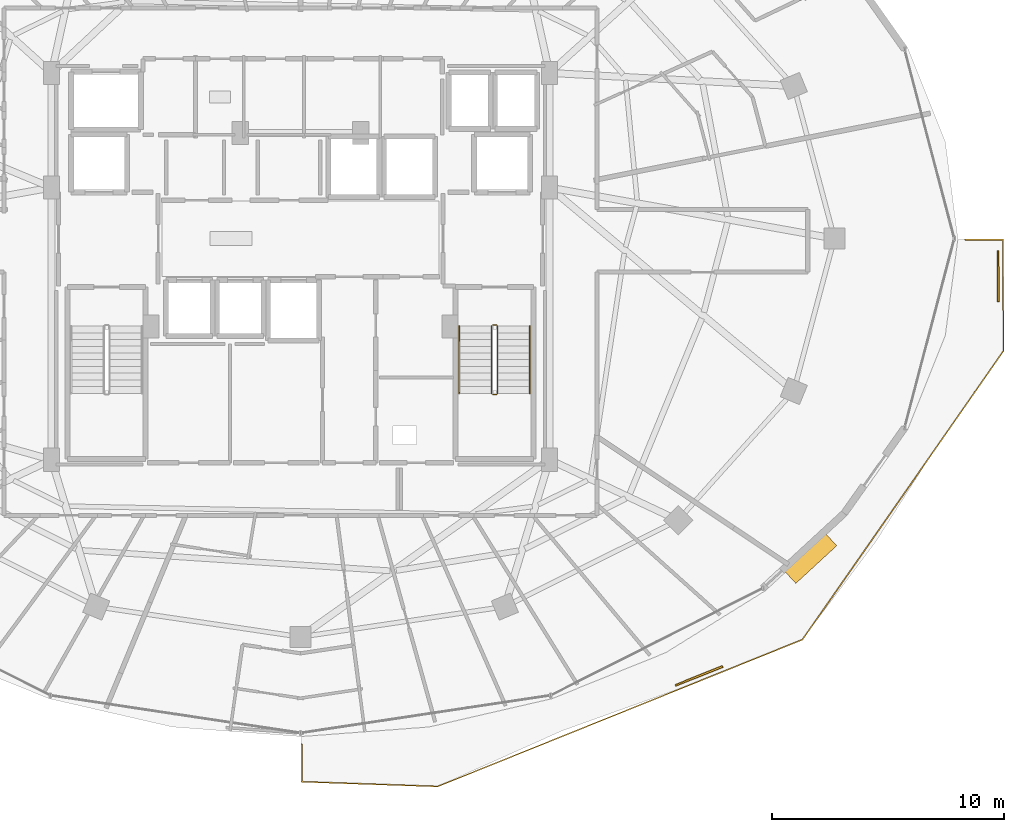
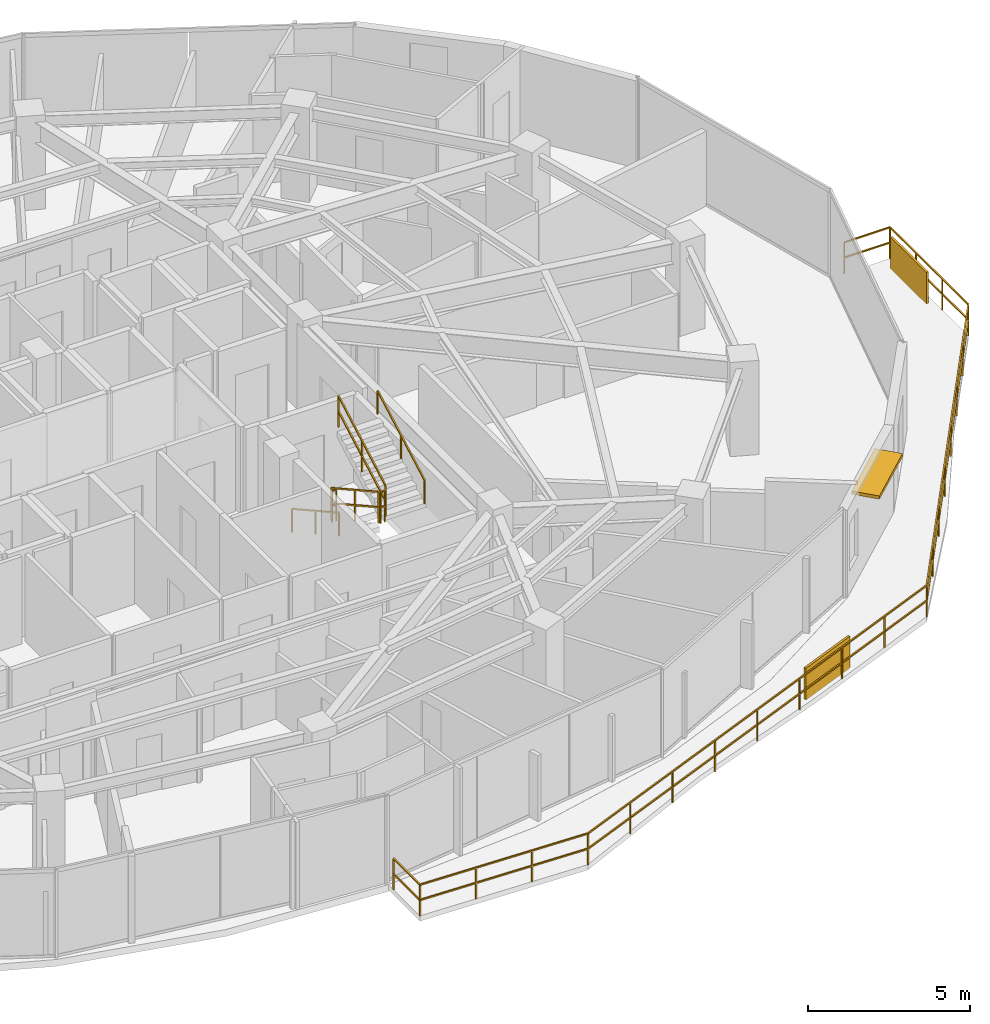
# One storey, part 32 of 34: 8 railings, 3 shading devices.
"""IFC4 building model written with IfcOpenShell, lengths in metres."""

from ifc_helpers import new_model, si_unit, direction, frame, origin, origin_2d, place, context, subcontext, project, spatial, rectangle, extrude, material, type_object, element, save


model = new_model("IFC4")

# Units and contexts
model_context = context("Model", 3, precision=1e-05, world=origin(), true_north=direction((0.0, 1.0)))
body_context = subcontext(model_context, "Body", "Model", "MODEL_VIEW")
ifc_project = project(units=[si_unit("LENGTHUNIT", "METRE"), si_unit("AREAUNIT", "SQUARE_METRE"), si_unit("VOLUMEUNIT", "CUBIC_METRE"), si_unit("PLANEANGLEUNIT", "RADIAN"), si_unit("MASSUNIT", "GRAM", prefix="KILO")], contexts=[model_context])

# Site, building, storey
site_placement = place(None, origin())
site = spatial("IfcSite", under=ifc_project, at=site_placement, CompositionType="ELEMENT")
building_placement = place(site_placement, origin())
building = spatial("IfcBuilding", under=site, at=building_placement, Name="Vorneva Point Tower", CompositionType="ELEMENT")
storey_placement = place(building_placement, frame((0.0, 0.0, 214.300048828125)))
storey = spatial("IfcBuildingStorey", under=building, at=storey_placement, Name="L58", CompositionType="ELEMENT", Elevation=214.300048828125)

# Railings
ifc_material_1 = material(Name="Pale anodised aluminium", Category="aluminium")
railing_type_1 = type_object("IfcRailingType", Name="RL-BAL-1200", PredefinedType="BALUSTRADE", material=ifc_material_1)
railing_1_placement = place(storey_placement, frame((68.34619140625, 21.14599609375, 0.0)))
element("IfcRailing", 1, at=railing_1_placement, inside=storey, type_object=railing_type_1, Name="L58 Wave Balcony Balustrade SE.1", PredefinedType="BALUSTRADE", context=body_context, shape_type="SweptSolid", body=[
    extrude(rectangle(XDim=0.048095703125, YDim=0.048095703125, at=origin_2d()), frame((0.0, 0.0, 1.17578125), z_axis=(-0.003354150975, 0.99999437482, 0.0), x_axis=(-0.99999437482, -0.003354150975, 0.0)), (0.0, 0.0, 1.0), 4.803955078125),
    extrude(rectangle(XDim=0.048095703125, YDim=0.048095703125, at=origin_2d()), frame((0.0, 0.0, 0.60009765625), z_axis=(-0.003354150975, 0.99999437482, 0.0), x_axis=(-0.99999437482, -0.003354150975, 0.0)), (0.0, 0.0, 1.0), 4.803955078125),
    extrude(rectangle(XDim=0.048095703125, YDim=0.048095703125, at=origin_2d()), frame((-0.01611328125, 4.803955078125, 1.17578125), z_axis=(-1.0, 0.0, 0.0), x_axis=(0.0, -1.0, 0.0)), (0.0, 0.0, 1.0), 1.6337890625),
    extrude(rectangle(XDim=0.048095703125, YDim=0.048095703125, at=origin_2d()), frame((-0.01611328125, 4.803955078125, 0.60009765625), z_axis=(-1.0, 0.0, 0.0), x_axis=(0.0, -1.0, 0.0)), (0.0, 0.0, 1.0), 1.6337890625),
    extrude(rectangle(XDim=0.0419921875, YDim=0.0419921875, at=origin_2d()), origin(), (0.0, 0.0, 1.0), 1.15185546875),
    extrude(rectangle(XDim=0.0419921875, YDim=0.0419921875, at=origin_2d()), frame((-0.00537109375, 1.601318359375, 0.0)), (0.0, 0.0, 1.0), 1.15185546875),
    extrude(rectangle(XDim=0.0419921875, YDim=0.0419921875, at=origin_2d()), frame((-0.0107421875, 3.20263671875, 0.0)), (0.0, 0.0, 1.0), 1.15185546875),
    extrude(rectangle(XDim=0.0419921875, YDim=0.0419921875, at=origin_2d()), frame((-0.01611328125, 4.803955078125, 0.0)), (0.0, 0.0, 1.0), 1.15185546875),
    extrude(rectangle(XDim=0.0419921875, YDim=0.0419921875, at=origin_2d()), frame((-1.64990234375, 4.803955078125, 0.0)), (0.0, 0.0, 1.0), 1.15185546875),
])
railing_2_placement = place(storey_placement, frame((38.050048828125, 4.182861328125, 0.0)))
element("IfcRailing", 2, at=railing_2_placement, inside=storey, type_object=railing_type_1, Name="L58 Wave Balcony Balustrade SE.2", PredefinedType="BALUSTRADE", context=body_context, shape_type="SweptSolid", body=[
    extrude(rectangle(XDim=0.048095703125, YDim=0.048095703125, at=origin_2d()), frame((0.0, 0.0, 1.17578125), z_axis=(0.0, -1.0, 0.0), x_axis=(1.0, 0.0, 0.0)), (0.0, 0.0, 1.0), 1.634521484375),
    extrude(rectangle(XDim=0.048095703125, YDim=0.048095703125, at=origin_2d()), frame((0.0, 0.0, 0.60009765625), z_axis=(0.0, -1.0, 0.0), x_axis=(1.0, 0.0, 0.0)), (0.0, 0.0, 1.0), 1.634521484375),
    extrude(rectangle(XDim=0.048095703125, YDim=0.048095703125, at=origin_2d()), frame((0.0, -1.634521484375, 1.17578125), z_axis=(0.99940397483, -0.034520937031, 0.0), x_axis=(0.034520937031, 0.99940397483, 0.0)), (0.0, 0.0, 1.0), 5.876953125),
    extrude(rectangle(XDim=0.048095703125, YDim=0.048095703125, at=origin_2d()), frame((0.0, -1.634521484375, 0.60009765625), z_axis=(0.99940397483, -0.034520937031, 0.0), x_axis=(0.034520937031, 0.99940397483, 0.0)), (0.0, 0.0, 1.0), 5.876953125),
    extrude(rectangle(XDim=0.048095703125, YDim=0.048095703125, at=origin_2d()), frame((5.87353515625, -1.83740234375, 1.17578125), z_axis=(0.927629084928, 0.373502718591, 0.0), x_axis=(-0.373502718591, 0.927629084928, 0.0)), (0.0, 0.0, 1.0), 16.97265625),
    extrude(rectangle(XDim=0.048095703125, YDim=0.048095703125, at=origin_2d()), frame((5.87353515625, -1.83740234375, 0.60009765625), z_axis=(0.927629084928, 0.373502718591, 0.0), x_axis=(-0.373502718591, 0.927629084928, 0.0)), (0.0, 0.0, 1.0), 16.97265625),
    extrude(rectangle(XDim=0.048095703125, YDim=0.048095703125, at=origin_2d()), frame((21.617919921875, 4.501953125, 1.17578125), z_axis=(0.571489307162, 0.820609512374, 0.0), x_axis=(-0.820609512374, 0.571489307162, 0.0)), (0.0, 0.0, 1.0), 15.185302734375),
    extrude(rectangle(XDim=0.048095703125, YDim=0.048095703125, at=origin_2d()), frame((21.617919921875, 4.501953125, 0.60009765625), z_axis=(0.571489307162, 0.820609512374, 0.0), x_axis=(-0.820609512374, 0.571489307162, 0.0)), (0.0, 0.0, 1.0), 15.185302734375),
    extrude(rectangle(XDim=0.0419921875, YDim=0.0419921875, at=origin_2d()), origin(), (0.0, 0.0, 1.0), 1.15185546875),
    extrude(rectangle(XDim=0.0419921875, YDim=0.0419921875, at=origin_2d()), frame((0.0, -1.634521484375, 0.0)), (0.0, 0.0, 1.0), 1.15185546875),
    extrude(rectangle(XDim=0.0419921875, YDim=0.0419921875, at=origin_2d()), frame((1.957763671875, -1.7021484375, 0.0)), (0.0, 0.0, 1.0), 1.15185546875),
    extrude(rectangle(XDim=0.0419921875, YDim=0.0419921875, at=origin_2d()), frame((3.915771484375, -1.769775390625, 0.0)), (0.0, 0.0, 1.0), 1.15185546875),
    extrude(rectangle(XDim=0.0419921875, YDim=0.0419921875, at=origin_2d()), frame((5.87353515625, -1.83740234375, 0.0)), (0.0, 0.0, 1.0), 1.15185546875),
    extrude(rectangle(XDim=0.0419921875, YDim=0.0419921875, at=origin_2d()), frame((7.841552734375, -1.044921875, 0.0)), (0.0, 0.0, 1.0), 1.15185546875),
    extrude(rectangle(XDim=0.0419921875, YDim=0.0419921875, at=origin_2d()), frame((9.8095703125, -0.25244140625, 0.0)), (0.0, 0.0, 1.0), 1.15185546875),
    extrude(rectangle(XDim=0.0419921875, YDim=0.0419921875, at=origin_2d()), frame((11.777587890625, 0.539794921875, 0.0)), (0.0, 0.0, 1.0), 1.15185546875),
    extrude(rectangle(XDim=0.0419921875, YDim=0.0419921875, at=origin_2d()), frame((13.74560546875, 1.332275390625, 0.0)), (0.0, 0.0, 1.0), 1.15185546875),
    extrude(rectangle(XDim=0.0419921875, YDim=0.0419921875, at=origin_2d()), frame((15.7138671875, 2.124755859375, 0.0)), (0.0, 0.0, 1.0), 1.15185546875),
    extrude(rectangle(XDim=0.0419921875, YDim=0.0419921875, at=origin_2d()), frame((17.681884765625, 2.9169921875, 0.0)), (0.0, 0.0, 1.0), 1.15185546875),
    extrude(rectangle(XDim=0.0419921875, YDim=0.0419921875, at=origin_2d()), frame((19.64990234375, 3.70947265625, 0.0)), (0.0, 0.0, 1.0), 1.15185546875),
    extrude(rectangle(XDim=0.0419921875, YDim=0.0419921875, at=origin_2d()), frame((21.617919921875, 4.501953125, 0.0)), (0.0, 0.0, 1.0), 1.15185546875),
    extrude(rectangle(XDim=0.0419921875, YDim=0.0419921875, at=origin_2d()), frame((22.857666015625, 6.2822265625, 0.0)), (0.0, 0.0, 1.0), 1.15185546875),
    extrude(rectangle(XDim=0.0419921875, YDim=0.0419921875, at=origin_2d()), frame((24.097412109375, 8.062255859375, 0.0)), (0.0, 0.0, 1.0), 1.15185546875),
    extrude(rectangle(XDim=0.0419921875, YDim=0.0419921875, at=origin_2d()), frame((25.337158203125, 9.842529296875, 0.0)), (0.0, 0.0, 1.0), 1.15185546875),
    extrude(rectangle(XDim=0.0419921875, YDim=0.0419921875, at=origin_2d()), frame((26.576904296875, 11.62255859375, 0.0)), (0.0, 0.0, 1.0), 1.15185546875),
    extrude(rectangle(XDim=0.0419921875, YDim=0.0419921875, at=origin_2d()), frame((27.816650390625, 13.40283203125, 0.0)), (0.0, 0.0, 1.0), 1.15185546875),
    extrude(rectangle(XDim=0.0419921875, YDim=0.0419921875, at=origin_2d()), frame((29.056396484375, 15.182861328125, 0.0)), (0.0, 0.0, 1.0), 1.15185546875),
    extrude(rectangle(XDim=0.0419921875, YDim=0.0419921875, at=origin_2d()), frame((30.296142578125, 16.963134765625, 0.0)), (0.0, 0.0, 1.0), 1.15185546875),
])
ifc_material_2 = material(Name="Brushed stainless steel S304", Category="steel")
railing_type_2 = type_object("IfcRailingType", Name="RL-HND-920", PredefinedType="HANDRAIL", material=ifc_material_2)
railing_3_placement = place(storey_placement, frame((44.85009765625, 22.219970703125, 0.161376953125)))
element("IfcRailing", 3, at=railing_3_placement, inside=storey, type_object=railing_type_2, Name="L58 ST2 stair handrail 1", PredefinedType="HANDRAIL", context=body_context, shape_type="SweptSolid", body=[
    extrude(rectangle(XDim=0.048095703125, YDim=0.048095703125, at=origin_2d()), frame((0.0, 0.0, 0.8759765625), z_axis=(0.0, -0.873841303929, 0.486211245805), x_axis=(1.0, 0.0, 0.0)), (0.0, 0.0, 1.0), 3.318603515625),
    extrude(rectangle(XDim=0.0419921875, YDim=0.0419921875, at=origin_2d()), origin(), (0.0, 0.0, 1.0), 0.851806640625),
    extrude(rectangle(XDim=0.0419921875, YDim=0.0419921875, at=origin_2d()), frame((0.0, -1.449951171875, 0.806640625)), (0.0, 0.0, 1.0), 0.851806640625),
    extrude(rectangle(XDim=0.0419921875, YDim=0.0419921875, at=origin_2d()), frame((0.0, -2.89990234375, 1.613525390625)), (0.0, 0.0, 1.0), 0.851806640625),
])
railing_4_placement = place(storey_placement, frame((47.89990234375, 19.320068359375, 1.936279296875)))
element("IfcRailing", 4, at=railing_4_placement, inside=storey, type_object=railing_type_2, Name="L58 ST2 stair handrail 2", PredefinedType="HANDRAIL", context=body_context, shape_type="SweptSolid", body=[
    extrude(rectangle(XDim=0.048095703125, YDim=0.048095703125, at=origin_2d()), frame((0.0, 0.0, 0.8759765625), z_axis=(0.0, 0.873810046276, 0.486267419253), x_axis=(-1.0, 0.0, 0.0)), (0.0, 0.0, 1.0), 3.318603515625),
    extrude(rectangle(XDim=0.0419921875, YDim=0.0419921875, at=origin_2d()), origin(), (0.0, 0.0, 1.0), 0.851806640625),
    extrude(rectangle(XDim=0.0419921875, YDim=0.0419921875, at=origin_2d()), frame((0.0, 1.449951171875, 0.806884765625)), (0.0, 0.0, 1.0), 0.851806640625),
    extrude(rectangle(XDim=0.0419921875, YDim=0.0419921875, at=origin_2d()), frame((0.0, 2.89990234375, 1.61376953125)), (0.0, 0.0, 1.0), 0.851806640625),
])
railing_type_3 = type_object("IfcRailingType", Name="RL-STG-1100", PredefinedType="GUARDRAIL", material=ifc_material_2)
railing_5_placement = place(storey_placement, frame((46.25, 22.219970703125, 0.161376953125)))
element("IfcRailing", 5, at=railing_5_placement, inside=storey, type_object=railing_type_3, Name="L58 ST2 stair guard 1", PredefinedType="GUARDRAIL", context=body_context, shape_type="SweptSolid", body=[
    extrude(rectangle(XDim=0.048095703125, YDim=0.048095703125, at=origin_2d()), frame((0.0, 0.0, 1.17578125), z_axis=(0.0, -0.873841303929, 0.486211245805), x_axis=(1.0, 0.0, 0.0)), (0.0, 0.0, 1.0), 3.318603515625),
    extrude(rectangle(XDim=0.048095703125, YDim=0.048095703125, at=origin_2d()), frame((0.0, 0.0, 0.60009765625), z_axis=(0.0, -0.873841303929, 0.486211245805), x_axis=(1.0, 0.0, 0.0)), (0.0, 0.0, 1.0), 3.318603515625),
    extrude(rectangle(XDim=0.0419921875, YDim=0.0419921875, at=origin_2d()), origin(), (0.0, 0.0, 1.0), 1.15185546875),
    extrude(rectangle(XDim=0.0419921875, YDim=0.0419921875, at=origin_2d()), frame((0.0, -1.449951171875, 0.806640625)), (0.0, 0.0, 1.0), 1.15185546875),
    extrude(rectangle(XDim=0.0419921875, YDim=0.0419921875, at=origin_2d()), frame((0.0, -2.89990234375, 1.613525390625)), (0.0, 0.0, 1.0), 1.15185546875),
])
railing_6_placement = place(storey_placement, frame((46.300048828125, 19.27001953125, 1.77490234375)))
element("IfcRailing", 6, at=railing_6_placement, inside=storey, type_object=railing_type_3, Name="L58 ST2 stair guard 2", PredefinedType="GUARDRAIL", context=body_context, shape_type="SweptSolid", body=[
    extrude(rectangle(XDim=0.048095703125, YDim=0.048095703125, at=origin_2d()), frame((0.0, 0.0, 1.17578125), z_axis=(1.0, 0.0, 0.0), x_axis=(0.0, 1.0, 0.0)), (0.0, 0.0, 1.0), 0.14990234375),
    extrude(rectangle(XDim=0.048095703125, YDim=0.048095703125, at=origin_2d()), frame((0.0, 0.0, 0.60009765625), z_axis=(1.0, 0.0, 0.0), x_axis=(0.0, 1.0, 0.0)), (0.0, 0.0, 1.0), 0.14990234375),
    extrude(rectangle(XDim=0.0419921875, YDim=0.0419921875, at=origin_2d()), origin(), (0.0, 0.0, 1.0), 1.15185546875),
    extrude(rectangle(XDim=0.0419921875, YDim=0.0419921875, at=origin_2d()), frame((0.14990234375, 0.0, 0.0)), (0.0, 0.0, 1.0), 1.15185546875),
])
railing_7_placement = place(storey_placement, frame((46.5, 19.320068359375, 1.936279296875)))
element("IfcRailing", 7, at=railing_7_placement, inside=storey, type_object=railing_type_3, Name="L58 ST2 stair guard 3", PredefinedType="GUARDRAIL", context=body_context, shape_type="SweptSolid", body=[
    extrude(rectangle(XDim=0.048095703125, YDim=0.048095703125, at=origin_2d()), frame((0.0, 0.0, 1.17578125), z_axis=(0.0, 0.873810046276, 0.486267419253), x_axis=(-1.0, 0.0, 0.0)), (0.0, 0.0, 1.0), 3.318603515625),
    extrude(rectangle(XDim=0.048095703125, YDim=0.048095703125, at=origin_2d()), frame((0.0, 0.0, 0.60009765625), z_axis=(0.0, 0.873810046276, 0.486267419253), x_axis=(-1.0, 0.0, 0.0)), (0.0, 0.0, 1.0), 3.318603515625),
    extrude(rectangle(XDim=0.0419921875, YDim=0.0419921875, at=origin_2d()), origin(), (0.0, 0.0, 1.0), 1.15185546875),
    extrude(rectangle(XDim=0.0419921875, YDim=0.0419921875, at=origin_2d()), frame((0.0, 1.449951171875, 0.806884765625)), (0.0, 0.0, 1.0), 1.15185546875),
    extrude(rectangle(XDim=0.0419921875, YDim=0.0419921875, at=origin_2d()), frame((0.0, 2.89990234375, 1.61376953125)), (0.0, 0.0, 1.0), 1.15185546875),
])
railing_8_placement = place(storey_placement, frame((46.300048828125, 22.27001953125, 0.0)))
element("IfcRailing", 8, at=railing_8_placement, inside=storey, type_object=railing_type_3, Name="L58 ST2 stair guard 4", PredefinedType="GUARDRAIL", context=body_context, shape_type="SweptSolid", body=[
    extrude(rectangle(XDim=0.048095703125, YDim=0.048095703125, at=origin_2d()), frame((0.0, 0.0, 1.17578125), z_axis=(1.0, 0.0, 0.0), x_axis=(0.0, 1.0, 0.0)), (0.0, 0.0, 1.0), 0.14990234375),
    extrude(rectangle(XDim=0.048095703125, YDim=0.048095703125, at=origin_2d()), frame((0.0, 0.0, 0.60009765625), z_axis=(1.0, 0.0, 0.0), x_axis=(0.0, 1.0, 0.0)), (0.0, 0.0, 1.0), 0.14990234375),
    extrude(rectangle(XDim=0.0419921875, YDim=0.0419921875, at=origin_2d()), origin(), (0.0, 0.0, 1.0), 1.15185546875),
    extrude(rectangle(XDim=0.0419921875, YDim=0.0419921875, at=origin_2d()), frame((0.14990234375, 0.0, 0.0)), (0.0, 0.0, 1.0), 1.15185546875),
])

# Shading devices
shading_device_type_1 = type_object("IfcShadingDeviceType", Name="SHD-AWN-900", PredefinedType="AWNING", material=ifc_material_1)
shading_device_placement = place(storey_placement, frame((59.9609375, 12.256103515625, 3.0498046875), z_axis=(0.0, 0.0, 1.0), x_axis=(0.735376033508, 0.677659272306, 0.0)))
element("IfcShadingDevice", 9, at=shading_device_placement, inside=storey, type_object=shading_device_type_1, Name="L58 Pale-Aluminium Brise-Soleil Awning 15", PredefinedType="AWNING", context=body_context, shape_type="SweptSolid", body=[
    extrude(rectangle(XDim=2.39990234375, YDim=0.89990234375, at=origin_2d()), origin(), (0.0, 0.0, 1.0), 0.1201171875),
])
shading_device_type_2 = type_object("IfcShadingDeviceType", Name="SHD-JAL-1200", PredefinedType="JALOUSIE", material=ifc_material_1)
for number, where, z_axis, x_axis, name in (
    (10, (68.11572265625, 24.376953125, -0.02001953125), (0.0, 0.0, 1.0), (-0.003351025892, 0.999994385297, 0.0), "L58 Balcony Vertical-Greenery Planter Screen SE.1"),
    (11, (55.2041015625, 7.1162109375, -0.02001953125), (0.0, 0.0, 1.0), (0.928109418915, 0.372307542928, 0.0), "L58 Balcony Vertical-Greenery Planter Screen SE.2"),
):
    element("IfcShadingDevice", number, at=place(storey_placement, frame(where, z_axis=z_axis, x_axis=x_axis)), inside=storey, type_object=shading_device_type_2, Name=name, PredefinedType="JALOUSIE", context=body_context, shape_type="SweptSolid", body=[
        extrude(rectangle(XDim=2.199951171875, YDim=0.080078125, at=origin_2d()), origin(), (0.0, 0.0, 1.0), 1.199951171875),
    ])

save(model, "model.ifc")
